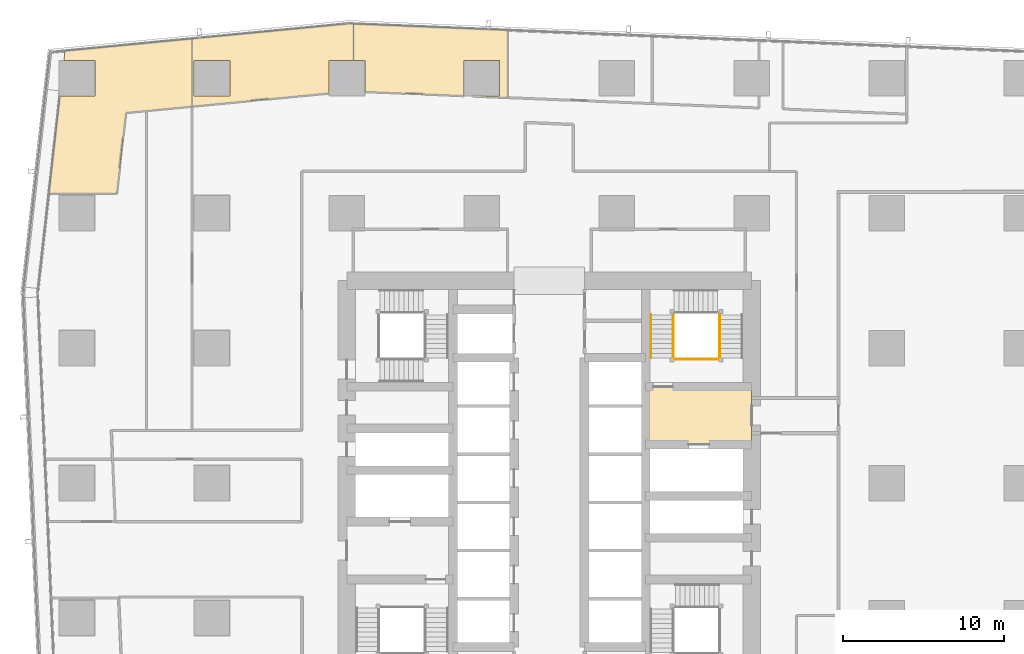
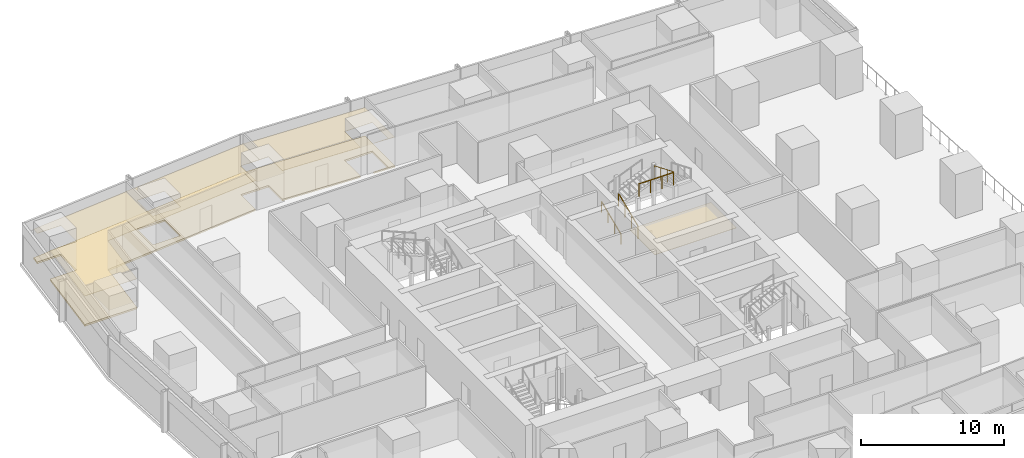
# One storey, part 40 of 42: 7 coverings, 4 railings.
"""IFC4 building model written with IfcOpenShell, lengths in metres."""

import ifcopenshell
import ifcopenshell.guid

model = None  # the IFC model being written
_history = None  # IfcOwnerHistory: only IFC2X3 demands one
_inside = {}  # id of a spatial element -> (the spatial element, [elements in it])
_under = {}  # id of a project, library or spatial element -> (it, [spatial elements below it])
_declared = {}  # id of a project -> (the project, [libraries it declares])
_typed = {}  # id of a type object -> (the type object, [elements of that type])
_made_of = {}  # id of a material, layer set ... -> (it, [elements and type objects made of it])


def new_model(schema):
    """Start an empty IFC model of exactly this schema.

    Asked for "IFC4X3", IfcOpenShell would pick the latest addendum, in which some entities
    have other attributes; the version numbers below select the first issue.
    IFC2X3 requires an IfcOwnerHistory on every rooted entity: one is made here for all.
    """
    global model, _history
    if schema == "IFC4X3":
        model = ifcopenshell.file(schema_version=(4, 3, 0, 0))
    else:
        model = ifcopenshell.file(schema=schema)
    _inside.clear()
    _under.clear()
    _declared.clear()
    _typed.clear()
    _made_of.clear()
    _history = None
    if model.schema == "IFC2X3":
        org = make("IfcOrganization", Name="unknown")
        user = make(
            "IfcPersonAndOrganization",
            ThePerson=make("IfcPerson", FamilyName="unknown"),
            TheOrganization=org,
        )
        app = make(
            "IfcApplication",
            ApplicationDeveloper=org,
            Version="unknown",
            ApplicationFullName="unknown",
            ApplicationIdentifier="unknown",
        )
        _history = make(
            "IfcOwnerHistory",
            OwningUser=user,
            OwningApplication=app,
            ChangeAction="ADDED",
            CreationDate=0,
        )
    return model


def make(cls, **values):
    """One entity of the class cls with the attributes given. An attribute that is None is left unset."""
    return model.create_entity(
        cls, **{name: value for name, value in values.items() if value is not None}
    )


def rooted(cls, **values):
    """An entity with a GlobalId (a new one), such as an element, a storey or a relation."""
    return make(cls, GlobalId=ifcopenshell.guid.new(), OwnerHistory=_history, **values)


def si_unit(unit_type, name, prefix=None):
    """IfcSIUnit, for example si_unit("LENGTHUNIT", "METRE", prefix="MILLI")."""
    return make("IfcSIUnit", UnitType=unit_type, Prefix=prefix, Name=name)


def assignment(units):
    """IfcUnitAssignment: the units of a project."""
    return None if units is None else make("IfcUnitAssignment", Units=units)


def point(xyz):
    """IfcCartesianPoint."""
    return None if xyz is None else make("IfcCartesianPoint", Coordinates=xyz)


def direction(xyz):
    """IfcDirection."""
    return None if xyz is None else make("IfcDirection", DirectionRatios=xyz)


def frame(location, z_axis=None, x_axis=None):
    """IfcAxis2Placement3D, a coordinate frame: its origin and axes. An axis left out is left unset."""
    return make(
        "IfcAxis2Placement3D",
        Location=point(location),
        Axis=direction(z_axis),
        RefDirection=direction(x_axis),
    )


def frame_2d(location, x_axis=None):
    """IfcAxis2Placement2D, a coordinate frame in the plane: its origin and x axis."""
    return make(
        "IfcAxis2Placement2D", Location=point(location), RefDirection=direction(x_axis)
    )


def origin():
    """The frame at (0, 0, 0) with its axes left unset."""
    return frame((0.0, 0.0, 0.0))


def origin_2d():
    """The frame at (0, 0) in the plane with its x axis left unset."""
    return frame_2d((0.0, 0.0))


def place(relative_to, where):
    """IfcLocalPlacement: puts the frame where relative to a parent placement (None: the world)."""
    return make(
        "IfcLocalPlacement", PlacementRelTo=relative_to, RelativePlacement=where
    )


def context(
    kind, dimensions, precision=None, world=None, true_north=None, identifier=None
):
    """IfcGeometricRepresentationContext, for example the 3D "Model" context."""
    return make(
        "IfcGeometricRepresentationContext",
        ContextIdentifier=identifier,
        ContextType=kind,
        CoordinateSpaceDimension=dimensions,
        Precision=precision,
        WorldCoordinateSystem=world,
        TrueNorth=true_north,
    )


def subcontext(parent, identifier, kind, view, scale=None):
    """IfcGeometricRepresentationSubContext, for example "Body" below "Model"."""
    return make(
        "IfcGeometricRepresentationSubContext",
        ContextIdentifier=identifier,
        ContextType=kind,
        ParentContext=parent,
        TargetScale=scale,
        TargetView=view,
    )


def project(units=None, contexts=None):
    """IfcProject with its units and contexts."""
    return rooted(
        "IfcProject",
        Name="project",
        RepresentationContexts=contexts,
        UnitsInContext=assignment(units),
    )


def spatial(cls, under=None, at=None, **own):
    """A site, building, storey or space (cls), placed at a placement, below another one or the project."""
    s = rooted(cls, ObjectPlacement=at, **own)
    if under is not None:
        _under.setdefault(under.id(), (under, []))[1].append(s)
    return s


def polyline(points):
    """IfcPolyline through the points."""
    return make("IfcPolyline", Points=[point(p) for p in points])


def profile(cls, at=None, kind="AREA", **sizes):
    """A parametric profile (cls). Its sizes go by their IFC names, for example OverallWidth=200.0."""
    return make(cls, ProfileType=kind, Position=at, **sizes)


def circle(**sizes):
    """IfcCircleProfileDef."""
    return profile("IfcCircleProfileDef", **sizes)


def outline(outer, holes=None, kind="AREA"):
    """IfcArbitraryClosedProfileDef: a profile drawn as a closed curve; with holes, ...WithVoids."""
    if holes is None:
        return make("IfcArbitraryClosedProfileDef", ProfileType=kind, OuterCurve=outer)
    return make(
        "IfcArbitraryProfileDefWithVoids",
        ProfileType=kind,
        OuterCurve=outer,
        InnerCurves=holes,
    )


def extrude(swept, where, along, depth):
    """IfcExtrudedAreaSolid: the profile swept, set in the frame where, extruded along a direction by depth."""
    return make(
        "IfcExtrudedAreaSolid",
        SweptArea=swept,
        Position=where,
        ExtrudedDirection=direction(along),
        Depth=depth,
    )


def shape(context_of_items, identifier, shape_type, items):
    """IfcShapeRepresentation: the items that make up one representation, for example the "Body"."""
    return make(
        "IfcShapeRepresentation",
        ContextOfItems=context_of_items,
        RepresentationIdentifier=identifier,
        RepresentationType=shape_type,
        Items=items,
    )


def material(Name=None, Category=None):
    """IfcMaterial."""
    return make("IfcMaterial", Name=Name, Category=Category)


def layer(
    of_material, thickness, ventilated=None, Name=None, Category=None, Priority=None
):
    """IfcMaterialLayer: one layer of a wall or slab, of a material (None: an air gap)."""
    return make(
        "IfcMaterialLayer",
        Material=of_material,
        LayerThickness=thickness,
        IsVentilated=ventilated,
        Name=Name,
        Category=Category,
        Priority=Priority,
    )


def layer_set(layers, Name=None):
    """IfcMaterialLayerSet."""
    return make("IfcMaterialLayerSet", MaterialLayers=layers, LayerSetName=Name)


def made_of(thing, what):
    """Note that an element or type object is made of a material, layer set ...; save() writes the relation."""
    if what is not None:
        _made_of.setdefault(what.id(), (what, []))[1].append(thing)
    return thing


def type_object(cls, material=None, **own):
    """A type object (cls), such as IfcWallType, which elements share."""
    return made_of(rooted(cls, **own), material)


def element(
    cls,
    number,
    at=None,
    inside=None,
    cuts=None,
    type_object=None,
    material=None,
    context=None,
    identifier="Body",
    shape_type=None,
    held_by="IfcProductDefinitionShape",
    body=None,
    shapes=None,
    **own,
):
    """One element of the class cls, such as IfcWall. Its Tag is "e" and its number.

    at: its placement. inside: the storey or other place that contains it. cuts: it is an
    opening in that element (IfcRelVoidsElement). A single representation is given by context,
    identifier, shape_type and body (its items); several are given by shapes. held_by: the class
    of the entity that holds the representations. save() writes the other relations.
    """
    e = rooted(cls, Tag="e%d" % number, ObjectPlacement=at, **own)
    if body is not None:
        shapes = [shape(context, identifier, shape_type, body)]
    if shapes is not None:
        e.Representation = make(held_by, Representations=shapes)
    if inside is not None:
        _inside.setdefault(inside.id(), (inside, []))[1].append(e)
    if cuts is not None:
        rooted(
            "IfcRelVoidsElement", RelatingBuildingElement=cuts, RelatedOpeningElement=e
        )
    if type_object is not None:
        _typed.setdefault(type_object.id(), (type_object, []))[1].append(e)
    return made_of(e, material)


def aggregate(whole, parts):
    """IfcRelAggregates: a whole, such as a stair, and the parts it consists of."""
    return rooted("IfcRelAggregates", RelatingObject=whole, RelatedObjects=parts)


def save(model, path):
    """Write the relations noted so far, then the file.

    IfcRelAggregates (storeys below a building ...), IfcRelContainedInSpatialStructure (elements
    in a storey), IfcRelDefinesByType, IfcRelAssociatesMaterial and IfcRelDeclares: one each for
    every whole, place, type object, material and project.
    """
    for whole, parts in _under.values():
        aggregate(whole, parts)
    for where, things in _inside.values():
        rooted(
            "IfcRelContainedInSpatialStructure",
            RelatedElements=things,
            RelatingStructure=where,
        )
    for kind, things in _typed.values():
        rooted("IfcRelDefinesByType", RelatedObjects=things, RelatingType=kind)
    for what, things in _made_of.values():
        rooted("IfcRelAssociatesMaterial", RelatedObjects=things, RelatingMaterial=what)
    for by, libraries in _declared.values():
        rooted("IfcRelDeclares", RelatingContext=by, RelatedDefinitions=libraries)
    model.write(path)


model = new_model("IFC4")

# Units and contexts
model_context = context("Model", 3, precision=1e-05, world=origin(), true_north=direction((0.0, 1.0)))
body_context = subcontext(model_context, "Body", "Model", "MODEL_VIEW")
ifc_project = project(units=[si_unit("LENGTHUNIT", "METRE"), si_unit("AREAUNIT", "SQUARE_METRE"), si_unit("VOLUMEUNIT", "CUBIC_METRE"), si_unit("PLANEANGLEUNIT", "RADIAN"), si_unit("MASSUNIT", "GRAM", prefix="KILO")], contexts=[model_context])

# Site, building, storey
site_placement = place(None, origin())
site = spatial("IfcSite", under=ifc_project, at=site_placement, CompositionType="ELEMENT")
building_placement = place(site_placement, origin())
building = spatial("IfcBuilding", under=site, at=building_placement, Name="Rekha Terrace Tower", CompositionType="ELEMENT")
storey_placement = place(building_placement, frame((0.0, 0.0, 40.39990234375)))
storey = spatial("IfcBuildingStorey", under=building, at=storey_placement, Name="L09", CompositionType="ELEMENT", Elevation=40.39990234375)

# Coverings
ifc_material_1 = material(Name="Mineral fibre tile in exposed grid", Category="finish")
ifc_layer_1 = layer(ifc_material_1, 0.02001953125)
ifc_layer_set_1 = layer_set([ifc_layer_1], Name="Mineral fibre tile in exposed grid")
covering_type_1 = type_object("IfcCoveringType", Name="CL1 600x1200 office grid ceiling", PredefinedType="CEILING", material=ifc_layer_set_1)
covering_1_placement = place(storey_placement, frame((0.0, 0.0, 2.580078125)))
element("IfcCovering", 1, at=covering_1_placement, inside=storey, type_object=covering_type_1, Name="Ceiling L09-08", PredefinedType="CEILING", context=body_context, shape_type="SweptSolid", body=[
    extrude(outline(polyline([(33.52490234375, 57.68505859375), (33.52490234375, 57.657958984375), (35.198974609375, 57.589111328125), (35.198974609375, 61.79296875), (25.60205078125, 62.18896484375), (25.60205078125, 59.9150390625), (26.31494140625, 59.9150390625), (26.31494140625, 57.9560546875), (32.485107421875, 57.700927734375), (32.485107421875, 59.9150390625), (34.715087890625, 59.9150390625), (34.715087890625, 57.68505859375), (33.52490234375, 57.68505859375)])), origin(), (0.0, 0.0, 1.0), 0.02001953125),
])
covering_2_placement = place(storey_placement, frame((0.0, 0.0, 2.580078125)))
element("IfcCovering", 2, at=covering_2_placement, inside=storey, type_object=covering_type_1, Name="Ceiling L09-09", PredefinedType="CEILING", context=body_context, shape_type="SweptSolid", body=[
    extrude(outline(polyline([(25.60107421875, 62.22607421875), (15.572998046875, 61.261962890625), (15.572998046875, 57.04296875), (24.0849609375, 57.861083984375), (24.0849609375, 59.9150390625), (25.60107421875, 59.9150390625), (25.60107421875, 62.22607421875)]), holes=[polyline([(17.9150390625, 57.68505859375), (15.68505859375, 57.68505859375), (15.68505859375, 59.9150390625), (17.9150390625, 59.9150390625), (17.9150390625, 57.68505859375)])]), origin(), (0.0, 0.0, 1.0), 0.02001953125),
])
covering_3_placement = place(storey_placement, frame((0.0, 0.0, 2.580078125)))
element("IfcCovering", 3, at=covering_3_placement, inside=storey, type_object=covering_type_1, Name="Ceiling L09-10", PredefinedType="CEILING", context=body_context, shape_type="SweptSolid", body=[
    extrude(outline(polyline([(11.447998046875, 56.64599609375), (15.572021484375, 57.04296875), (15.572021484375, 61.261962890625), (7.655029296875, 60.5009765625), (7.589111328125, 59.9150390625), (9.514892578125, 59.9150390625), (9.514892578125, 57.68505859375), (7.339111328125, 57.68505859375), (6.656982421875, 51.618896484375), (10.883056640625, 51.618896484375), (11.447998046875, 56.64599609375)])), origin(), (0.0, 0.0, 1.0), 0.02001953125),
])
ifc_material_2 = material(Name="Powder-coated aluminium pan", Category="aluminium")
ifc_layer_2 = layer(ifc_material_2, 0.030029296875)
ifc_layer_set_2 = layer_set([ifc_layer_2], Name="Powder-coated aluminium pan")
covering_type_2 = type_object("IfcCoveringType", Name="CL3 300x1200 metal pan ceiling", PredefinedType="CEILING", material=ifc_layer_set_2)
covering_4_placement = place(storey_placement, frame((0.0, 0.0, 2.570068359375)))
element("IfcCovering", 4, at=covering_4_placement, inside=storey, type_object=covering_type_2, Name="Ceiling L09-FLB2", PredefinedType="CEILING", context=body_context, shape_type="SweptSolid", body=[
    extrude(outline(polyline([(50.39990234375, 39.60009765625), (43.800048828125, 39.60009765625), (43.800048828125, 36.0), (50.39990234375, 36.0), (50.39990234375, 39.60009765625)])), origin(), (0.0, 0.0, 1.0), 0.030029296875),
])

# Railings
ifc_material_3 = material(Name="Stainless steel balustrade", Category="steel")
railing_type_1 = type_object("IfcRailingType", Name="GR1 1100 stair guard", PredefinedType="GUARDRAIL", material=ifc_material_3)
railing_1_placement = place(storey_placement, frame((45.514892578125, 41.375, 0.125)))
element("IfcRailing", 5, at=railing_1_placement, inside=storey, type_object=railing_type_1, Name="Guard ST2 L09 flight 1", PredefinedType="GUARDRAIL", context=body_context, shape_type="SweptSolid", body=[
    extrude(circle(Radius=0.02392578125, at=origin_2d()), frame((0.0, 0.0, 1.076171875), z_axis=(0.0, 0.923074453586, 0.384621311341), x_axis=(-1.0, 0.0, 0.0)), (0.0, 0.0, 1.0), 2.925048828125),
    extrude(circle(Radius=0.02099609375, at=origin_2d()), origin(), (0.0, 0.0, 1.0), 1.052001953125),
    extrude(circle(Radius=0.02099609375, at=origin_2d()), frame((0.0, 0.89990234375, 0.375)), (0.0, 0.0, 1.0), 1.052001953125),
    extrude(circle(Radius=0.02099609375, at=origin_2d()), frame((0.0, 1.800048828125, 0.75)), (0.0, 0.0, 1.0), 1.052001953125),
    extrude(circle(Radius=0.02099609375, at=origin_2d()), frame((0.0, 2.699951171875, 1.125)), (0.0, 0.0, 1.0), 1.052001953125),
])
railing_2_placement = place(storey_placement, frame((48.409912109375, 44.074951171875, 2.625)))
element("IfcRailing", 6, at=railing_2_placement, inside=storey, type_object=railing_type_1, Name="Guard ST2 L09 flight 3", PredefinedType="GUARDRAIL", context=body_context, shape_type="SweptSolid", body=[
    extrude(circle(Radius=0.02392578125, at=origin_2d()), frame((0.0, 0.0, 1.076171875), z_axis=(0.0, -0.923074453586, 0.384621311341), x_axis=(1.0, 0.0, 0.0)), (0.0, 0.0, 1.0), 2.925048828125),
    extrude(circle(Radius=0.02099609375, at=origin_2d()), origin(), (0.0, 0.0, 1.0), 1.052001953125),
    extrude(circle(Radius=0.02099609375, at=origin_2d()), frame((0.0, -0.89990234375, 0.375)), (0.0, 0.0, 1.0), 1.052001953125),
    extrude(circle(Radius=0.02099609375, at=origin_2d()), frame((0.0, -1.800048828125, 0.75)), (0.0, 0.0, 1.0), 1.052001953125),
    extrude(circle(Radius=0.02099609375, at=origin_2d()), frame((0.0, -2.699951171875, 1.125)), (0.0, 0.0, 1.0), 1.052001953125),
])
railing_3_placement = place(storey_placement, frame((45.574951171875, 41.31494140625, 3.75)))
element("IfcRailing", 7, at=railing_3_placement, inside=storey, type_object=railing_type_1, Name="Guard ST2 L09 landing 4", PredefinedType="GUARDRAIL", context=body_context, shape_type="SweptSolid", body=[
    extrude(circle(Radius=0.02392578125, at=origin_2d()), frame((0.0, 0.0, 1.076171875), z_axis=(1.0, 0.0, 0.0), x_axis=(0.0, 1.0, 0.0)), (0.0, 0.0, 1.0), 2.775146484375),
    extrude(circle(Radius=0.02099609375, at=origin_2d()), origin(), (0.0, 0.0, 1.0), 1.052001953125),
    extrude(circle(Radius=0.02099609375, at=origin_2d()), frame((0.925048828125, 0.0, 0.0)), (0.0, 0.0, 1.0), 1.052001953125),
    extrude(circle(Radius=0.02099609375, at=origin_2d()), frame((1.85009765625, 0.0, 0.0)), (0.0, 0.0, 1.0), 1.052001953125),
    extrude(circle(Radius=0.02099609375, at=origin_2d()), frame((2.775146484375, 0.0, 0.0)), (0.0, 0.0, 1.0), 1.052001953125),
])
ifc_material_4 = material(Name="Stainless steel tube", Category="steel")
railing_type_2 = type_object("IfcRailingType", Name="HR1 900 stair handrail", PredefinedType="HANDRAIL", material=ifc_material_4)
railing_4_placement = place(storey_placement, frame((44.135009765625, 41.375, 0.125)))
element("IfcRailing", 8, at=railing_4_placement, inside=storey, type_object=railing_type_2, Name="Handrail ST2 L09 flight 1", PredefinedType="HANDRAIL", context=body_context, shape_type="SweptSolid", body=[
    extrude(circle(Radius=0.02392578125, at=origin_2d()), frame((0.0, 0.0, 0.8759765625), z_axis=(0.0, 0.923074453586, 0.384621311341), x_axis=(-1.0, 0.0, 0.0)), (0.0, 0.0, 1.0), 2.925048828125),
    extrude(circle(Radius=0.02099609375, at=origin_2d()), origin(), (0.0, 0.0, 1.0), 0.851806640625),
    extrude(circle(Radius=0.02099609375, at=origin_2d()), frame((0.0, 0.89990234375, 0.375)), (0.0, 0.0, 1.0), 0.851806640625),
    extrude(circle(Radius=0.02099609375, at=origin_2d()), frame((0.0, 1.800048828125, 0.75)), (0.0, 0.0, 1.0), 0.851806640625),
    extrude(circle(Radius=0.02099609375, at=origin_2d()), frame((0.0, 2.699951171875, 1.125)), (0.0, 0.0, 1.0), 0.851806640625),
])

# Coverings
ifc_material_5 = material(Name="Calcium sulphate panels on steel pedestals", Category="steel")
ifc_layer_3 = layer(ifc_material_5, 0.14990234375)
ifc_layer_set_3 = layer_set([ifc_layer_3], Name="Calcium sulphate panels on steel pedestals")
covering_type_3 = type_object("IfcCoveringType", Name="RF1 150 raised access floor", PredefinedType="FLOORING", material=ifc_layer_set_3)
covering_5_placement = place(storey_placement, origin())
element("IfcCovering", 9, at=covering_5_placement, inside=storey, type_object=covering_type_3, Name="Raised floor L09-08", PredefinedType="FLOORING", context=body_context, shape_type="SweptSolid", body=[
    extrude(outline(polyline([(33.52490234375, 57.68505859375), (33.52490234375, 57.657958984375), (35.198974609375, 57.589111328125), (35.198974609375, 61.79296875), (25.60205078125, 62.18896484375), (25.60205078125, 59.9150390625), (26.31494140625, 59.9150390625), (26.31494140625, 57.9560546875), (32.485107421875, 57.700927734375), (32.485107421875, 59.9150390625), (34.715087890625, 59.9150390625), (34.715087890625, 57.68505859375), (33.52490234375, 57.68505859375)])), origin(), (0.0, 0.0, 1.0), 0.150146484375),
])
covering_6_placement = place(storey_placement, origin())
element("IfcCovering", 10, at=covering_6_placement, inside=storey, type_object=covering_type_3, Name="Raised floor L09-09", PredefinedType="FLOORING", context=body_context, shape_type="SweptSolid", body=[
    extrude(outline(polyline([(25.60107421875, 62.22607421875), (15.572998046875, 61.261962890625), (15.572998046875, 57.04296875), (24.0849609375, 57.861083984375), (24.0849609375, 59.9150390625), (25.60107421875, 59.9150390625), (25.60107421875, 62.22607421875)]), holes=[polyline([(17.9150390625, 57.68505859375), (15.68505859375, 57.68505859375), (15.68505859375, 59.9150390625), (17.9150390625, 59.9150390625), (17.9150390625, 57.68505859375)])]), origin(), (0.0, 0.0, 1.0), 0.150146484375),
])
covering_7_placement = place(storey_placement, origin())
element("IfcCovering", 11, at=covering_7_placement, inside=storey, type_object=covering_type_3, Name="Raised floor L09-10", PredefinedType="FLOORING", context=body_context, shape_type="SweptSolid", body=[
    extrude(outline(polyline([(11.447998046875, 56.64599609375), (15.572021484375, 57.04296875), (15.572021484375, 61.261962890625), (7.655029296875, 60.5009765625), (7.589111328125, 59.9150390625), (9.514892578125, 59.9150390625), (9.514892578125, 57.68505859375), (7.339111328125, 57.68505859375), (6.656982421875, 51.618896484375), (10.883056640625, 51.618896484375), (11.447998046875, 56.64599609375)])), origin(), (0.0, 0.0, 1.0), 0.150146484375),
])

save(model, "model.ifc")
